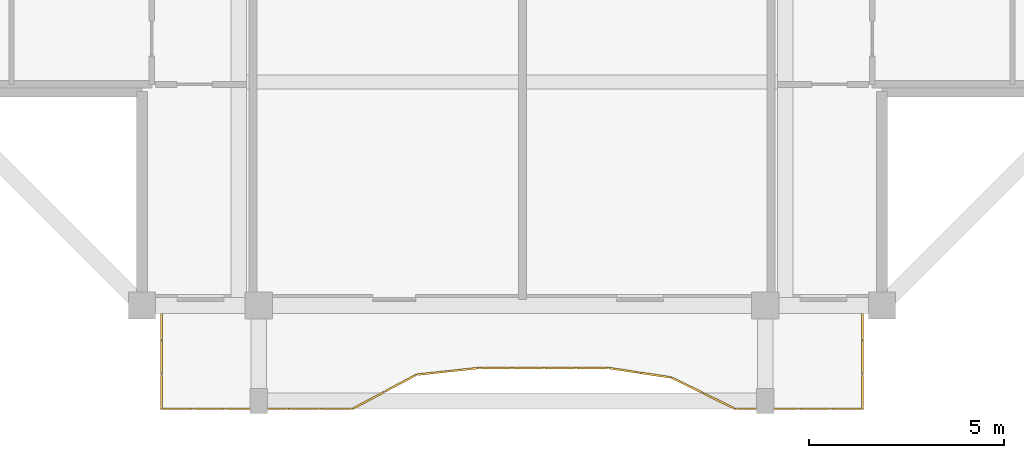
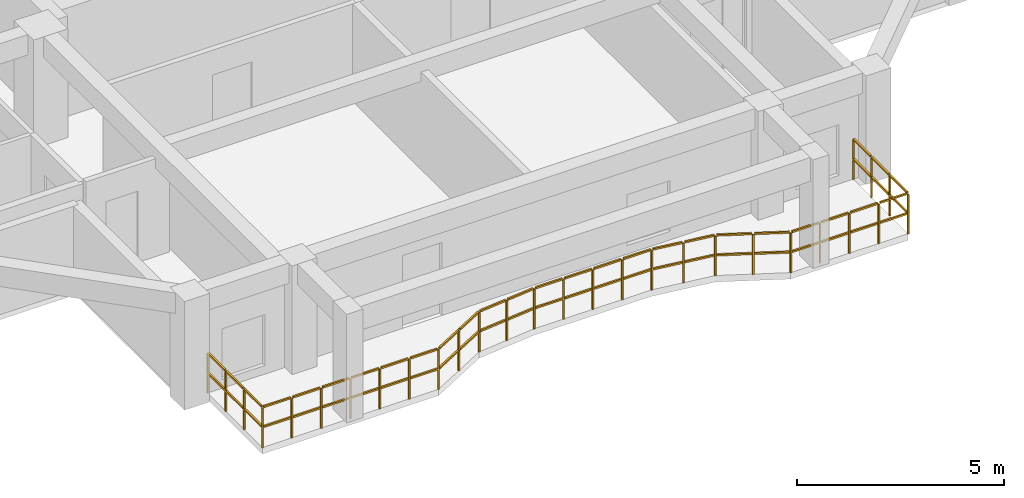
# One storey, part 7 of 11: 1 railing.
"""IFC4 building model written with IfcOpenShell, lengths in metres."""

from ifc_helpers import new_model, si_unit, direction, frame, origin, origin_2d, place, context, subcontext, project, spatial, rectangle, extrude, material, type_object, element, save


model = new_model("IFC4")

# Units and contexts
model_context = context("Model", 3, precision=1e-05, world=origin(), true_north=direction((0.0, 1.0)))
body_context = subcontext(model_context, "Body", "Model", "MODEL_VIEW")
ifc_project = project(units=[si_unit("LENGTHUNIT", "METRE"), si_unit("AREAUNIT", "SQUARE_METRE"), si_unit("VOLUMEUNIT", "CUBIC_METRE"), si_unit("PLANEANGLEUNIT", "RADIAN"), si_unit("MASSUNIT", "GRAM", prefix="KILO")], contexts=[model_context])

# Site, building, storey
site_placement = place(None, origin())
site = spatial("IfcSite", under=ifc_project, at=site_placement, CompositionType="ELEMENT")
building_placement = place(site_placement, origin())
building = spatial("IfcBuilding", under=site, at=building_placement, Name="Saelheon Loggia Tower", CompositionType="ELEMENT")
storey_placement = place(building_placement, frame((0.0, 0.0, 249.0)))
storey = spatial("IfcBuildingStorey", under=building, at=storey_placement, Name="L77", CompositionType="ELEMENT", Elevation=249.0)

# Railing
ifc_material = material(Name="Architectural Precast Concrete and Laminated Glass Guard", Category="concrete")
railing_type = type_object("IfcRailingType", Name="Guard_Loggia_RL_LOG", PredefinedType="BALUSTRADE", material=ifc_material)
railing_placement = place(storey_placement, frame((29.0, 6.0, 0.0)))
element("IfcRailing", 1, at=railing_placement, inside=storey, type_object=railing_type, Name="L77 South Loggia Balustrade", PredefinedType="BALUSTRADE", context=body_context, shape_type="SweptSolid", body=[
    extrude(rectangle(XDim=0.048095703125, YDim=0.048095703125, at=origin_2d()), frame((0.0, -0.033203125, 1.19580078125), z_axis=(0.0, -1.0, 0.0), x_axis=(1.0, 0.0, 0.0)), (0.0, 0.0, 1.0), 0.81689453125),
    extrude(rectangle(XDim=0.048095703125, YDim=0.048095703125, at=origin_2d()), frame((0.0, -0.033203125, 0.60986328125), z_axis=(0.0, -1.0, 0.0), x_axis=(1.0, 0.0, 0.0)), (0.0, 0.0, 1.0), 0.81689453125),
    extrude(rectangle(XDim=0.048095703125, YDim=0.048095703125, at=origin_2d()), frame((0.0, -0.91650390625, 1.19580078125), z_axis=(0.0, -1.0, 0.0), x_axis=(1.0, 0.0, 0.0)), (0.0, 0.0, 1.0), 0.81689453125),
    extrude(rectangle(XDim=0.048095703125, YDim=0.048095703125, at=origin_2d()), frame((0.0, -0.91650390625, 0.60986328125), z_axis=(0.0, -1.0, 0.0), x_axis=(1.0, 0.0, 0.0)), (0.0, 0.0, 1.0), 0.81689453125),
    extrude(rectangle(XDim=0.048095703125, YDim=0.048095703125, at=origin_2d()), frame((0.0, -1.7998046875, 1.19580078125), z_axis=(0.0, -1.0, 0.0), x_axis=(1.0, 0.0, 0.0)), (0.0, 0.0, 1.0), 0.81689453125),
    extrude(rectangle(XDim=0.048095703125, YDim=0.048095703125, at=origin_2d()), frame((0.0, -1.7998046875, 0.60986328125), z_axis=(0.0, -1.0, 0.0), x_axis=(1.0, 0.0, 0.0)), (0.0, 0.0, 1.0), 0.81689453125),
    extrude(rectangle(XDim=0.048095703125, YDim=0.048095703125, at=origin_2d()), frame((0.033203125, -2.64990234375, 1.19580078125), z_axis=(1.0, 0.0, 0.0), x_axis=(0.0, 1.0, 0.0)), (0.0, 0.0, 1.0), 0.751708984375),
    extrude(rectangle(XDim=0.048095703125, YDim=0.048095703125, at=origin_2d()), frame((0.033203125, -2.64990234375, 0.60986328125), z_axis=(1.0, 0.0, 0.0), x_axis=(0.0, 1.0, 0.0)), (0.0, 0.0, 1.0), 0.751708984375),
    extrude(rectangle(XDim=0.048095703125, YDim=0.048095703125, at=origin_2d()), frame((0.8515625, -2.64990234375, 1.19580078125), z_axis=(1.0, 0.0, 0.0), x_axis=(0.0, 1.0, 0.0)), (0.0, 0.0, 1.0), 0.751708984375),
    extrude(rectangle(XDim=0.048095703125, YDim=0.048095703125, at=origin_2d()), frame((0.8515625, -2.64990234375, 0.60986328125), z_axis=(1.0, 0.0, 0.0), x_axis=(0.0, 1.0, 0.0)), (0.0, 0.0, 1.0), 0.751708984375),
    extrude(rectangle(XDim=0.048095703125, YDim=0.048095703125, at=origin_2d()), frame((1.669677734375, -2.64990234375, 1.19580078125), z_axis=(1.0, 0.0, 0.0), x_axis=(0.0, 1.0, 0.0)), (0.0, 0.0, 1.0), 0.751708984375),
    extrude(rectangle(XDim=0.048095703125, YDim=0.048095703125, at=origin_2d()), frame((1.669677734375, -2.64990234375, 0.60986328125), z_axis=(1.0, 0.0, 0.0), x_axis=(0.0, 1.0, 0.0)), (0.0, 0.0, 1.0), 0.751708984375),
    extrude(rectangle(XDim=0.048095703125, YDim=0.048095703125, at=origin_2d()), frame((2.48779296875, -2.64990234375, 1.19580078125), z_axis=(1.0, 0.0, 0.0), x_axis=(0.0, 1.0, 0.0)), (0.0, 0.0, 1.0), 0.751708984375),
    extrude(rectangle(XDim=0.048095703125, YDim=0.048095703125, at=origin_2d()), frame((2.48779296875, -2.64990234375, 0.60986328125), z_axis=(1.0, 0.0, 0.0), x_axis=(0.0, 1.0, 0.0)), (0.0, 0.0, 1.0), 0.751708984375),
    extrude(rectangle(XDim=0.048095703125, YDim=0.048095703125, at=origin_2d()), frame((3.305908203125, -2.64990234375, 1.19580078125), z_axis=(0.999999955487, 0.000298373849, 0.0), x_axis=(-0.000298373849, 0.999999955487, 0.0)), (0.0, 0.0, 1.0), 0.751708984375),
    extrude(rectangle(XDim=0.048095703125, YDim=0.048095703125, at=origin_2d()), frame((3.305908203125, -2.64990234375, 0.60986328125), z_axis=(0.999999955487, 0.000298373849, 0.0), x_axis=(-0.000298373849, 0.999999955487, 0.0)), (0.0, 0.0, 1.0), 0.751708984375),
    extrude(rectangle(XDim=0.048095703125, YDim=0.048095703125, at=origin_2d()), frame((4.124267578125, -2.649658203125, 1.19580078125), z_axis=(0.999999955487, 0.000298373849, 0.0), x_axis=(-0.000298373849, 0.999999955487, 0.0)), (0.0, 0.0, 1.0), 0.751708984375),
    extrude(rectangle(XDim=0.048095703125, YDim=0.048095703125, at=origin_2d()), frame((4.124267578125, -2.649658203125, 0.60986328125), z_axis=(0.999999955487, 0.000298373849, 0.0), x_axis=(-0.000298373849, 0.999999955487, 0.0)), (0.0, 0.0, 1.0), 0.751708984375),
    extrude(rectangle(XDim=0.048095703125, YDim=0.048095703125, at=origin_2d()), frame((4.9384765625, -2.6337890625, 1.19580078125), z_axis=(0.882374807368, 0.47054723389, 0.0), x_axis=(-0.47054723389, 0.882374807368, 0.0)), (0.0, 0.0, 1.0), 0.860595703125),
    extrude(rectangle(XDim=0.048095703125, YDim=0.048095703125, at=origin_2d()), frame((4.9384765625, -2.6337890625, 0.60986328125), z_axis=(0.882374807368, 0.47054723389, 0.0), x_axis=(-0.47054723389, 0.882374807368, 0.0)), (0.0, 0.0, 1.0), 0.860595703125),
    extrude(rectangle(XDim=0.048095703125, YDim=0.048095703125, at=origin_2d()), frame((5.756591796875, -2.197509765625, 1.19580078125), z_axis=(0.882374807368, 0.47054723389, 0.0), x_axis=(-0.47054723389, 0.882374807368, 0.0)), (0.0, 0.0, 1.0), 0.860595703125),
    extrude(rectangle(XDim=0.048095703125, YDim=0.048095703125, at=origin_2d()), frame((5.756591796875, -2.197509765625, 0.60986328125), z_axis=(0.882374807368, 0.47054723389, 0.0), x_axis=(-0.47054723389, 0.882374807368, 0.0)), (0.0, 0.0, 1.0), 0.860595703125),
    extrude(rectangle(XDim=0.048095703125, YDim=0.048095703125, at=origin_2d()), frame((6.578369140625, -1.773193359375, 1.19580078125), z_axis=(0.994217323975, 0.107386743631, 0.0), x_axis=(-0.107386743631, 0.994217323975, 0.0)), (0.0, 0.0, 1.0), 0.756591796875),
    extrude(rectangle(XDim=0.048095703125, YDim=0.048095703125, at=origin_2d()), frame((6.578369140625, -1.773193359375, 0.60986328125), z_axis=(0.994217323975, 0.107386743631, 0.0), x_axis=(-0.107386743631, 0.994217323975, 0.0)), (0.0, 0.0, 1.0), 0.756591796875),
    extrude(rectangle(XDim=0.048095703125, YDim=0.048095703125, at=origin_2d()), frame((7.396728515625, -1.684814453125, 1.19580078125), z_axis=(0.994217323975, 0.107386743631, 0.0), x_axis=(-0.107386743631, 0.994217323975, 0.0)), (0.0, 0.0, 1.0), 0.756591796875),
    extrude(rectangle(XDim=0.048095703125, YDim=0.048095703125, at=origin_2d()), frame((7.396728515625, -1.684814453125, 0.60986328125), z_axis=(0.994217323975, 0.107386743631, 0.0), x_axis=(-0.107386743631, 0.994217323975, 0.0)), (0.0, 0.0, 1.0), 0.756591796875),
    extrude(rectangle(XDim=0.048095703125, YDim=0.048095703125, at=origin_2d()), frame((8.215087890625, -1.60009765625, 1.19580078125), z_axis=(1.0, 0.0, 0.0), x_axis=(0.0, 1.0, 0.0)), (0.0, 0.0, 1.0), 0.751708984375),
    extrude(rectangle(XDim=0.048095703125, YDim=0.048095703125, at=origin_2d()), frame((8.215087890625, -1.60009765625, 0.60986328125), z_axis=(1.0, 0.0, 0.0), x_axis=(0.0, 1.0, 0.0)), (0.0, 0.0, 1.0), 0.751708984375),
    extrude(rectangle(XDim=0.048095703125, YDim=0.048095703125, at=origin_2d()), frame((9.033203125, -1.60009765625, 1.19580078125), z_axis=(1.0, 0.0, 0.0), x_axis=(0.0, 1.0, 0.0)), (0.0, 0.0, 1.0), 0.751708984375),
    extrude(rectangle(XDim=0.048095703125, YDim=0.048095703125, at=origin_2d()), frame((9.033203125, -1.60009765625, 0.60986328125), z_axis=(1.0, 0.0, 0.0), x_axis=(0.0, 1.0, 0.0)), (0.0, 0.0, 1.0), 0.751708984375),
    extrude(rectangle(XDim=0.048095703125, YDim=0.048095703125, at=origin_2d()), frame((9.851318359375, -1.60009765625, 1.19580078125), z_axis=(1.0, 0.0, 0.0), x_axis=(0.0, 1.0, 0.0)), (0.0, 0.0, 1.0), 0.751708984375),
    extrude(rectangle(XDim=0.048095703125, YDim=0.048095703125, at=origin_2d()), frame((9.851318359375, -1.60009765625, 0.60986328125), z_axis=(1.0, 0.0, 0.0), x_axis=(0.0, 1.0, 0.0)), (0.0, 0.0, 1.0), 0.751708984375),
    extrude(rectangle(XDim=0.048095703125, YDim=0.048095703125, at=origin_2d()), frame((10.669677734375, -1.60009765625, 1.19580078125), z_axis=(1.0, 0.0, 0.0), x_axis=(0.0, 1.0, 0.0)), (0.0, 0.0, 1.0), 0.751708984375),
    extrude(rectangle(XDim=0.048095703125, YDim=0.048095703125, at=origin_2d()), frame((10.669677734375, -1.60009765625, 0.60986328125), z_axis=(1.0, 0.0, 0.0), x_axis=(0.0, 1.0, 0.0)), (0.0, 0.0, 1.0), 0.751708984375),
    extrude(rectangle(XDim=0.048095703125, YDim=0.048095703125, at=origin_2d()), frame((11.487548828125, -1.60498046875, 1.19580078125), z_axis=(0.988659819213, -0.150172440459, 0.0), x_axis=(0.150172440459, 0.988659819213, 0.0)), (0.0, 0.0, 1.0), 0.760986328125),
    extrude(rectangle(XDim=0.048095703125, YDim=0.048095703125, at=origin_2d()), frame((11.487548828125, -1.60498046875, 0.60986328125), z_axis=(0.988659819213, -0.150172440459, 0.0), x_axis=(0.150172440459, 0.988659819213, 0.0)), (0.0, 0.0, 1.0), 0.760986328125),
    extrude(rectangle(XDim=0.048095703125, YDim=0.048095703125, at=origin_2d()), frame((12.3056640625, -1.729248046875, 1.19580078125), z_axis=(0.988659819213, -0.150172440459, 0.0), x_axis=(0.150172440459, 0.988659819213, 0.0)), (0.0, 0.0, 1.0), 0.760986328125),
    extrude(rectangle(XDim=0.048095703125, YDim=0.048095703125, at=origin_2d()), frame((12.3056640625, -1.729248046875, 0.60986328125), z_axis=(0.988659819213, -0.150172440459, 0.0), x_axis=(0.150172440459, 0.988659819213, 0.0)), (0.0, 0.0, 1.0), 0.760986328125),
    extrude(rectangle(XDim=0.048095703125, YDim=0.048095703125, at=origin_2d()), frame((13.12060546875, -1.86328125, 1.19580078125), z_axis=(0.898121030069, -0.439748354571, 0.0), x_axis=(0.439748354571, 0.898121030069, 0.0)), (0.0, 0.0, 1.0), 0.844482421875),
    extrude(rectangle(XDim=0.048095703125, YDim=0.048095703125, at=origin_2d()), frame((13.12060546875, -1.86328125, 0.60986328125), z_axis=(0.898121030069, -0.439748354571, 0.0), x_axis=(0.439748354571, 0.898121030069, 0.0)), (0.0, 0.0, 1.0), 0.844482421875),
    extrude(rectangle(XDim=0.048095703125, YDim=0.048095703125, at=origin_2d()), frame((13.93896484375, -2.263916015625, 1.19580078125), z_axis=(0.898121030069, -0.439748354571, 0.0), x_axis=(0.439748354571, 0.898121030069, 0.0)), (0.0, 0.0, 1.0), 0.844482421875),
    extrude(rectangle(XDim=0.048095703125, YDim=0.048095703125, at=origin_2d()), frame((13.93896484375, -2.263916015625, 0.60986328125), z_axis=(0.898121030069, -0.439748354571, 0.0), x_axis=(0.439748354571, 0.898121030069, 0.0)), (0.0, 0.0, 1.0), 0.844482421875),
    extrude(rectangle(XDim=0.048095703125, YDim=0.048095703125, at=origin_2d()), frame((14.760498046875, -2.64990234375, 1.19580078125), z_axis=(1.0, 0.0, 0.0), x_axis=(0.0, 1.0, 0.0)), (0.0, 0.0, 1.0), 0.751708984375),
    extrude(rectangle(XDim=0.048095703125, YDim=0.048095703125, at=origin_2d()), frame((14.760498046875, -2.64990234375, 0.60986328125), z_axis=(1.0, 0.0, 0.0), x_axis=(0.0, 1.0, 0.0)), (0.0, 0.0, 1.0), 0.751708984375),
    extrude(rectangle(XDim=0.048095703125, YDim=0.048095703125, at=origin_2d()), frame((15.57861328125, -2.64990234375, 1.19580078125), z_axis=(1.0, 0.0, 0.0), x_axis=(0.0, 1.0, 0.0)), (0.0, 0.0, 1.0), 0.751708984375),
    extrude(rectangle(XDim=0.048095703125, YDim=0.048095703125, at=origin_2d()), frame((15.57861328125, -2.64990234375, 0.60986328125), z_axis=(1.0, 0.0, 0.0), x_axis=(0.0, 1.0, 0.0)), (0.0, 0.0, 1.0), 0.751708984375),
    extrude(rectangle(XDim=0.048095703125, YDim=0.048095703125, at=origin_2d()), frame((16.396728515625, -2.64990234375, 1.19580078125), z_axis=(1.0, 0.0, 0.0), x_axis=(0.0, 1.0, 0.0)), (0.0, 0.0, 1.0), 0.751708984375),
    extrude(rectangle(XDim=0.048095703125, YDim=0.048095703125, at=origin_2d()), frame((16.396728515625, -2.64990234375, 0.60986328125), z_axis=(1.0, 0.0, 0.0), x_axis=(0.0, 1.0, 0.0)), (0.0, 0.0, 1.0), 0.751708984375),
    extrude(rectangle(XDim=0.048095703125, YDim=0.048095703125, at=origin_2d()), frame((17.215087890625, -2.64990234375, 1.19580078125), z_axis=(1.0, 0.0, 0.0), x_axis=(0.0, 1.0, 0.0)), (0.0, 0.0, 1.0), 0.751708984375),
    extrude(rectangle(XDim=0.048095703125, YDim=0.048095703125, at=origin_2d()), frame((17.215087890625, -2.64990234375, 0.60986328125), z_axis=(1.0, 0.0, 0.0), x_axis=(0.0, 1.0, 0.0)), (0.0, 0.0, 1.0), 0.751708984375),
    extrude(rectangle(XDim=0.048095703125, YDim=0.048095703125, at=origin_2d()), frame((18.0, -2.61669921875, 1.19580078125), z_axis=(0.0, 1.0, 0.0), x_axis=(-1.0, 0.0, 0.0)), (0.0, 0.0, 1.0), 0.81689453125),
    extrude(rectangle(XDim=0.048095703125, YDim=0.048095703125, at=origin_2d()), frame((18.0, -2.61669921875, 0.60986328125), z_axis=(0.0, 1.0, 0.0), x_axis=(-1.0, 0.0, 0.0)), (0.0, 0.0, 1.0), 0.81689453125),
    extrude(rectangle(XDim=0.048095703125, YDim=0.048095703125, at=origin_2d()), frame((18.0, -1.7333984375, 1.19580078125), z_axis=(0.0, 1.0, 0.0), x_axis=(-1.0, 0.0, 0.0)), (0.0, 0.0, 1.0), 0.81689453125),
    extrude(rectangle(XDim=0.048095703125, YDim=0.048095703125, at=origin_2d()), frame((18.0, -1.7333984375, 0.60986328125), z_axis=(0.0, 1.0, 0.0), x_axis=(-1.0, 0.0, 0.0)), (0.0, 0.0, 1.0), 0.81689453125),
    extrude(rectangle(XDim=0.048095703125, YDim=0.048095703125, at=origin_2d()), frame((18.0, -0.85009765625, 1.19580078125), z_axis=(0.0, 1.0, 0.0), x_axis=(-1.0, 0.0, 0.0)), (0.0, 0.0, 1.0), 0.81689453125),
    extrude(rectangle(XDim=0.048095703125, YDim=0.048095703125, at=origin_2d()), frame((18.0, -0.85009765625, 0.60986328125), z_axis=(0.0, 1.0, 0.0), x_axis=(-1.0, 0.0, 0.0)), (0.0, 0.0, 1.0), 0.81689453125),
    extrude(rectangle(XDim=0.0419921875, YDim=0.0419921875, at=origin_2d()), origin(), (0.0, 0.0, 1.0), 1.16796875),
    extrude(rectangle(XDim=0.0419921875, YDim=0.0419921875, at=origin_2d()), frame((0.0, -0.88330078125, 0.0)), (0.0, 0.0, 1.0), 1.16796875),
    extrude(rectangle(XDim=0.0419921875, YDim=0.0419921875, at=origin_2d()), frame((0.0, -1.7666015625, 0.0)), (0.0, 0.0, 1.0), 1.16796875),
    extrude(rectangle(XDim=0.0419921875, YDim=0.0419921875, at=origin_2d()), frame((0.0, -2.64990234375, 0.0)), (0.0, 0.0, 1.0), 1.16796875),
    extrude(rectangle(XDim=0.0419921875, YDim=0.0419921875, at=origin_2d()), frame((0.818359375, -2.64990234375, 0.0)), (0.0, 0.0, 1.0), 1.16796875),
    extrude(rectangle(XDim=0.0419921875, YDim=0.0419921875, at=origin_2d()), frame((1.636474609375, -2.64990234375, 0.0)), (0.0, 0.0, 1.0), 1.16796875),
    extrude(rectangle(XDim=0.0419921875, YDim=0.0419921875, at=origin_2d()), frame((2.45458984375, -2.64990234375, 0.0)), (0.0, 0.0, 1.0), 1.16796875),
    extrude(rectangle(XDim=0.0419921875, YDim=0.0419921875, at=origin_2d()), frame((3.272705078125, -2.64990234375, 0.0)), (0.0, 0.0, 1.0), 1.16796875),
    extrude(rectangle(XDim=0.0419921875, YDim=0.0419921875, at=origin_2d()), frame((4.0908203125, -2.649658203125, 0.0)), (0.0, 0.0, 1.0), 1.16796875),
    extrude(rectangle(XDim=0.0419921875, YDim=0.0419921875, at=origin_2d()), frame((4.9091796875, -2.6494140625, 0.0)), (0.0, 0.0, 1.0), 1.16796875),
    extrude(rectangle(XDim=0.0419921875, YDim=0.0419921875, at=origin_2d()), frame((5.727294921875, -2.213134765625, 0.0)), (0.0, 0.0, 1.0), 1.16796875),
    extrude(rectangle(XDim=0.0419921875, YDim=0.0419921875, at=origin_2d()), frame((6.54541015625, -1.77685546875, 0.0)), (0.0, 0.0, 1.0), 1.16796875),
    extrude(rectangle(XDim=0.0419921875, YDim=0.0419921875, at=origin_2d()), frame((7.36376953125, -1.6884765625, 0.0)), (0.0, 0.0, 1.0), 1.16796875),
    extrude(rectangle(XDim=0.0419921875, YDim=0.0419921875, at=origin_2d()), frame((8.181884765625, -1.60009765625, 0.0)), (0.0, 0.0, 1.0), 1.16796875),
    extrude(rectangle(XDim=0.0419921875, YDim=0.0419921875, at=origin_2d()), frame((9.0, -1.60009765625, 0.0)), (0.0, 0.0, 1.0), 1.16796875),
    extrude(rectangle(XDim=0.0419921875, YDim=0.0419921875, at=origin_2d()), frame((9.818115234375, -1.60009765625, 0.0)), (0.0, 0.0, 1.0), 1.16796875),
    extrude(rectangle(XDim=0.0419921875, YDim=0.0419921875, at=origin_2d()), frame((10.63623046875, -1.60009765625, 0.0)), (0.0, 0.0, 1.0), 1.16796875),
    extrude(rectangle(XDim=0.0419921875, YDim=0.0419921875, at=origin_2d()), frame((11.45458984375, -1.60009765625, 0.0)), (0.0, 0.0, 1.0), 1.16796875),
    extrude(rectangle(XDim=0.0419921875, YDim=0.0419921875, at=origin_2d()), frame((12.272705078125, -1.724365234375, 0.0)), (0.0, 0.0, 1.0), 1.16796875),
    extrude(rectangle(XDim=0.0419921875, YDim=0.0419921875, at=origin_2d()), frame((13.0908203125, -1.8486328125, 0.0)), (0.0, 0.0, 1.0), 1.16796875),
    extrude(rectangle(XDim=0.0419921875, YDim=0.0419921875, at=origin_2d()), frame((13.9091796875, -2.249267578125, 0.0)), (0.0, 0.0, 1.0), 1.16796875),
    extrude(rectangle(XDim=0.0419921875, YDim=0.0419921875, at=origin_2d()), frame((14.727294921875, -2.64990234375, 0.0)), (0.0, 0.0, 1.0), 1.16796875),
    extrude(rectangle(XDim=0.0419921875, YDim=0.0419921875, at=origin_2d()), frame((15.54541015625, -2.64990234375, 0.0)), (0.0, 0.0, 1.0), 1.16796875),
    extrude(rectangle(XDim=0.0419921875, YDim=0.0419921875, at=origin_2d()), frame((16.363525390625, -2.64990234375, 0.0)), (0.0, 0.0, 1.0), 1.16796875),
    extrude(rectangle(XDim=0.0419921875, YDim=0.0419921875, at=origin_2d()), frame((17.181640625, -2.64990234375, 0.0)), (0.0, 0.0, 1.0), 1.16796875),
    extrude(rectangle(XDim=0.0419921875, YDim=0.0419921875, at=origin_2d()), frame((18.0, -2.64990234375, 0.0)), (0.0, 0.0, 1.0), 1.16796875),
    extrude(rectangle(XDim=0.0419921875, YDim=0.0419921875, at=origin_2d()), frame((18.0, -1.7666015625, 0.0)), (0.0, 0.0, 1.0), 1.16796875),
    extrude(rectangle(XDim=0.0419921875, YDim=0.0419921875, at=origin_2d()), frame((18.0, -0.88330078125, 0.0)), (0.0, 0.0, 1.0), 1.16796875),
    extrude(rectangle(XDim=0.0419921875, YDim=0.0419921875, at=origin_2d()), frame((18.0, 0.0, 0.0)), (0.0, 0.0, 1.0), 1.16796875),
])

save(model, "model.ifc")
